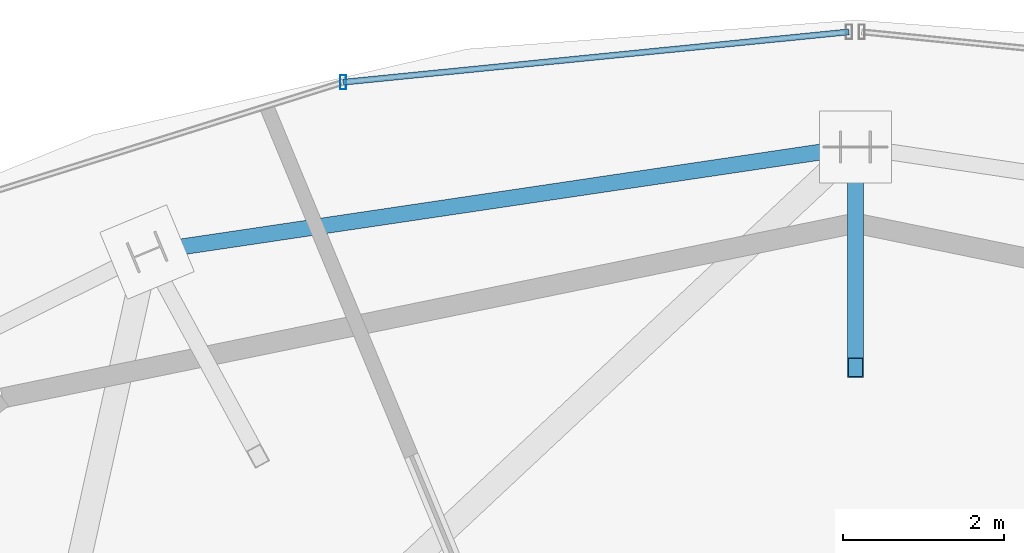
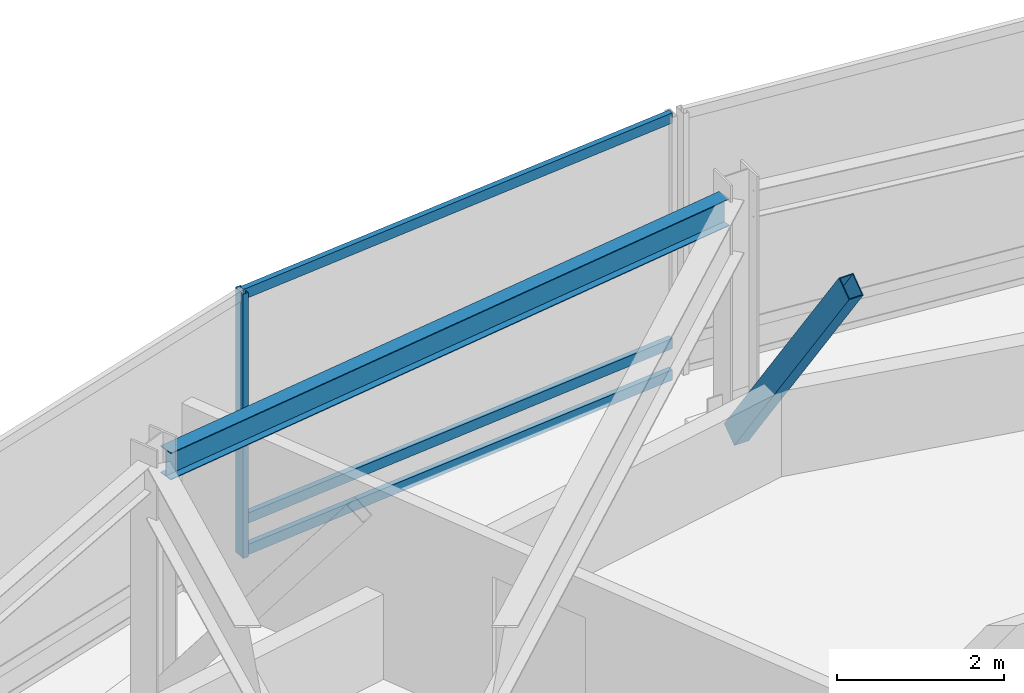
# One storey, part 19 of 28: 5 members, 1 beam, 1 element without a shape of its own.
"""IFC4 building model written with IfcOpenShell, lengths in metres."""

from ifc_helpers import new_model, si_unit, direction, frame, origin, origin_2d, place, context, subcontext, project, spatial, hollow_rectangle, i_section, extrude, material, material_profile, profile_set, type_object, element, aggregate, save


model = new_model("IFC4")

# Units and contexts
model_context = context("Model", 3, precision=1e-05, world=origin(), true_north=direction((0.0, 1.0)))
body_context = subcontext(model_context, "Body", "Model", "MODEL_VIEW")
ifc_project = project(units=[si_unit("LENGTHUNIT", "METRE"), si_unit("AREAUNIT", "SQUARE_METRE"), si_unit("VOLUMEUNIT", "CUBIC_METRE"), si_unit("PLANEANGLEUNIT", "RADIAN"), si_unit("MASSUNIT", "GRAM", prefix="KILO")], contexts=[model_context])

# Site, building, storey
site_placement = place(None, origin())
site = spatial("IfcSite", under=ifc_project, at=site_placement, CompositionType="ELEMENT")
building_placement = place(site_placement, origin())
building = spatial("IfcBuilding", under=site, at=building_placement, Name="Vorneva Point Tower", CompositionType="ELEMENT")
storey_placement = place(building_placement, frame((0.0, 0.0, 295.39990234375)))
storey = spatial("IfcBuildingStorey", under=building, at=storey_placement, Name="C01", CompositionType="ELEMENT", Elevation=295.39990234375)

# Beam
ifc_material_1 = material(Name="Steel S355", Category="steel")
ifc_material_profile_1 = material_profile(ifc_material_1, i_section(OverallWidth=0.198974609375, OverallDepth=0.39599609375, WebThickness=0.007080078125, FlangeThickness=0.010986328125, at=origin_2d()), Name="40B1")
ifc_profile_set_1 = profile_set([ifc_material_profile_1], Name="Steel S355")
beam_type = type_object("IfcBeamType", Name="BM-SPN-40B1", PredefinedType="SPANDREL", material=ifc_profile_set_1)
beam_placement = place(storey_placement, frame((37.81689453125, 43.1728515625, 3.35205078125), z_axis=(-0.989164167153, -0.146813658836, 0.0), x_axis=(0.146813658836, -0.989164167153, 0.0)))
element("IfcBeam", 1, at=beam_placement, inside=storey, type_object=beam_type, Name="C01 Perimeter Spandrel Ring Beam 05", PredefinedType="SPANDREL", context=body_context, shape_type="SweptSolid", body=[
    extrude(i_section(OverallWidth=0.198974609375, OverallDepth=0.39599609375, WebThickness=0.007080078125, FlangeThickness=0.010986328125, at=origin_2d()), origin(), (0.0, 0.0, 1.0), 8.54736328125),
])

# Curtain wall, members
ifc_material_2 = material(Name="Pale anodised aluminium", Category="aluminium")
curtain_wall_type = type_object("IfcCurtainWallType", Name="CW-CRN-SYS", PredefinedType="NOTDEFINED", material=ifc_material_2)
curtain_wall_placement = place(storey_placement, origin())
curtain_wall = element("IfcCurtainWall", 2, at=curtain_wall_placement, inside=storey, type_object=curtain_wall_type, Name="C01 Unitised Curtain Wall CW-C01-Q2", PredefinedType="NOTDEFINED")
ifc_material_profile_2 = material_profile(ifc_material_2, hollow_rectangle(XDim=0.074951171875, YDim=0.179931640625, WallThickness=0.00390625, at=origin_2d()), Name="AL-MUL 180x75x4")
ifc_profile_set_2 = profile_set([ifc_material_profile_2], Name="Pale anodised aluminium")
member_type_1 = type_object("IfcMemberType", Name="CW-MUL-180", PredefinedType="MULLION", material=ifc_profile_set_2)
member_1_placement = place(storey_placement, frame((31.6201171875, 44.0048828125, -0.039794921875), z_axis=(0.0, 0.0, 1.0), x_axis=(1.0, 0.0, 0.0)))
member_1 = element("IfcMember", 3, at=member_1_placement, type_object=member_type_1, Name="CW-C01-Q2 Mullion 02", PredefinedType="MULLION", context=body_context, shape_type="SweptSolid", body=[
    extrude(hollow_rectangle(XDim=0.074951171875, YDim=0.179931640625, WallThickness=0.00390625, at=origin_2d()), origin(), (0.0, 0.0, 1.0), 3.869873046875),
])
ifc_material_profile_3 = material_profile(ifc_material_2, hollow_rectangle(XDim=0.074951171875, YDim=0.14990234375, WallThickness=0.00390625, at=origin_2d()), Name="AL-TRN 150x75x4")
ifc_profile_set_3 = profile_set([ifc_material_profile_3], Name="Pale anodised aluminium")
member_type_2 = type_object("IfcMemberType", Name="CW-TRN-150", PredefinedType="USERDEFINED", material=ifc_profile_set_3)
member_2_placement = place(storey_placement, frame((37.92041015625, 44.632080078125, 0.02001953125), z_axis=(-0.995081378477, -0.09906084094, 0.0), x_axis=(0.09906084094, -0.995081378477, 0.0)))
member_2 = element("IfcMember", 4, at=member_2_placement, type_object=member_type_2, Name="CW-C01-Q2 Transom 01.1", ObjectType="TRANSOM", PredefinedType="USERDEFINED", context=body_context, shape_type="SweptSolid", body=[
    extrude(hollow_rectangle(XDim=0.074951171875, YDim=0.14990234375, WallThickness=0.00390625, at=origin_2d()), origin(), (0.0, 0.0, 1.0), 6.33154296875),
])
member_3_placement = place(storey_placement, frame((37.92041015625, 44.632080078125, 0.47998046875), z_axis=(-0.995081378477, -0.09906084094, 0.0), x_axis=(0.09906084094, -0.995081378477, 0.0)))
member_3 = element("IfcMember", 5, at=member_3_placement, type_object=member_type_2, Name="CW-C01-Q2 Transom 01.2", ObjectType="TRANSOM", PredefinedType="USERDEFINED", context=body_context, shape_type="SweptSolid", body=[
    extrude(hollow_rectangle(XDim=0.074951171875, YDim=0.14990234375, WallThickness=0.00390625, at=origin_2d()), origin(), (0.0, 0.0, 1.0), 6.33154296875),
])
member_4_placement = place(storey_placement, frame((37.92041015625, 44.632080078125, 3.780029296875), z_axis=(-0.995081378477, -0.09906084094, 0.0), x_axis=(0.09906084094, -0.995081378477, 0.0)))
member_4 = element("IfcMember", 6, at=member_4_placement, type_object=member_type_2, Name="CW-C01-Q2 Transom 01.3", ObjectType="TRANSOM", PredefinedType="USERDEFINED", context=body_context, shape_type="SweptSolid", body=[
    extrude(hollow_rectangle(XDim=0.074951171875, YDim=0.14990234375, WallThickness=0.00390625, at=origin_2d()), origin(), (0.0, 0.0, 1.0), 6.33154296875),
])
aggregate(curtain_wall, [member_1, member_2, member_3, member_4])

# Member
ifc_material_profile_4 = material_profile(ifc_material_1, hollow_rectangle(XDim=0.199951171875, YDim=0.300048828125, WallThickness=0.011962890625, at=origin_2d()), Name="PP 300x200x12")
ifc_profile_set_4 = profile_set([ifc_material_profile_4], Name="Steel S355")
member_type_3 = type_object("IfcMemberType", Name="MBR-CRN-PP300", PredefinedType="CHORD", material=ifc_profile_set_4)
member_5_placement = place(storey_placement, frame((38.0, 43.199951171875, 0.0), z_axis=(0.0, -0.586263716238, 0.810120271949), x_axis=(1.0, 0.0, 0.0)))
element("IfcMember", 7, at=member_5_placement, inside=storey, type_object=member_type_3, Name="Crown Tapered Frame Rib C01-05", PredefinedType="CHORD", context=body_context, shape_type="SweptSolid", body=[
    extrude(hollow_rectangle(XDim=0.199951171875, YDim=0.300048828125, WallThickness=0.011962890625, at=origin_2d()), origin(), (0.0, 0.0, 1.0), 4.690673828125),
])

save(model, "model.ifc")
